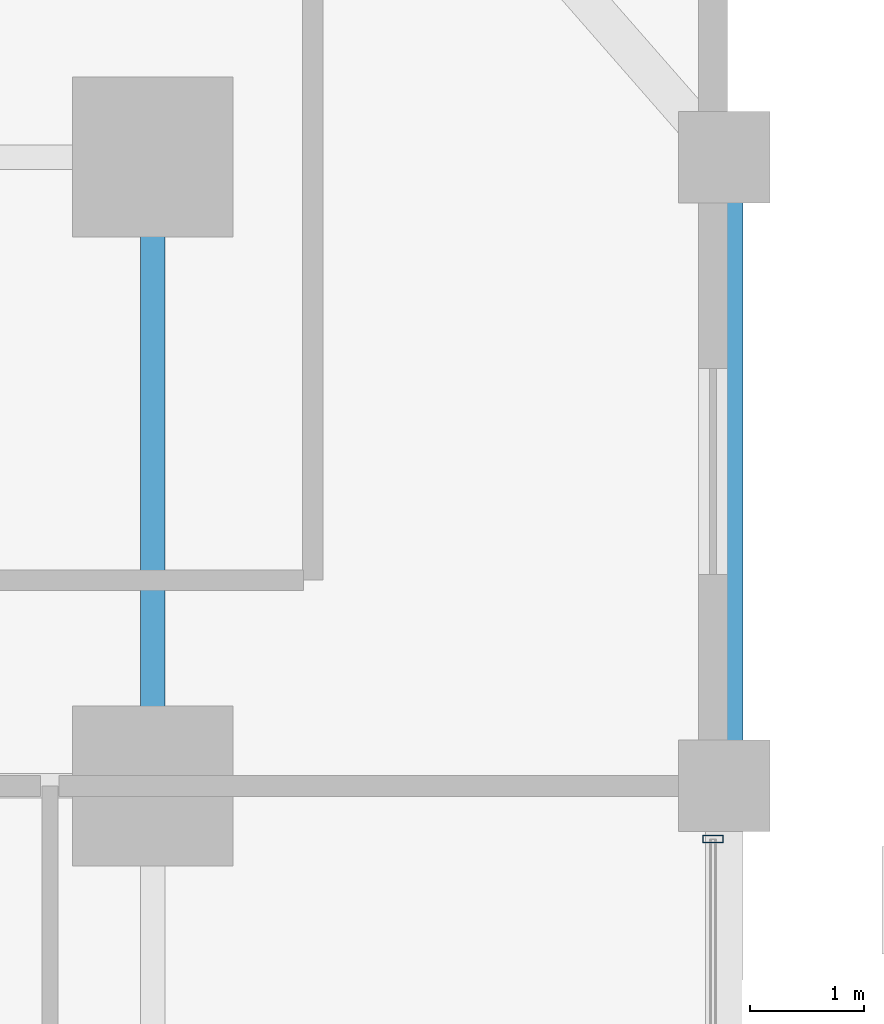
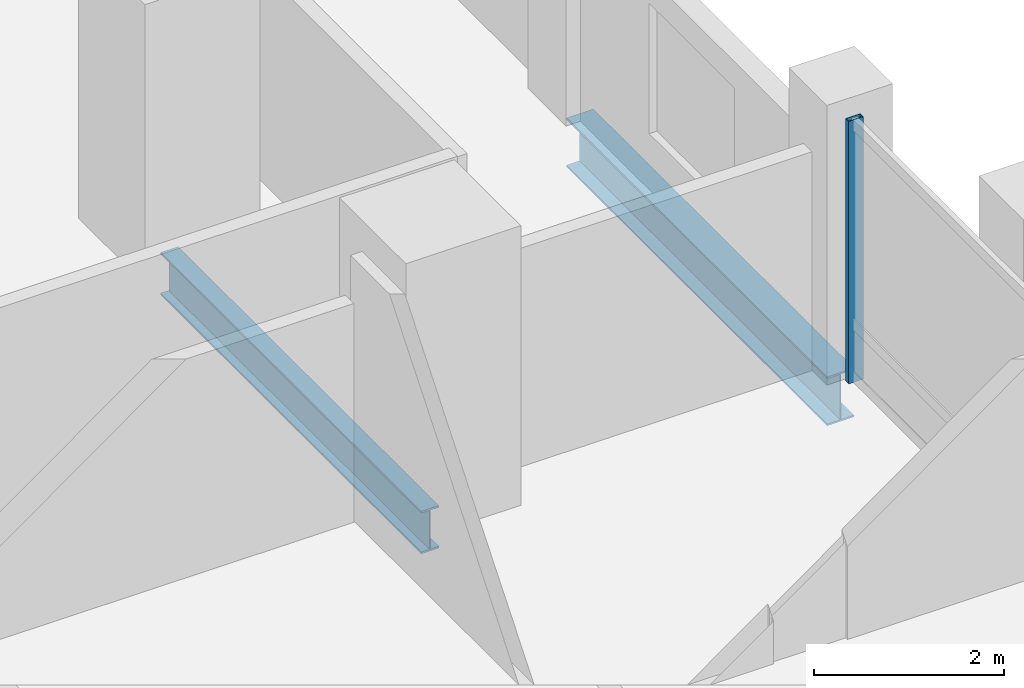
# One storey, part 15 of 23: 2 beams, 1 member, 1 element without a shape of its own.
"""IFC4 building model written with IfcOpenShell, lengths in metres."""

from ifc_helpers import new_model, si_unit, direction, frame, origin, origin_2d, place, context, subcontext, project, spatial, hollow_rectangle, i_section, extrude, material, layer, layer_set, material_profile, profile_set, type_object, element, aggregate, save


model = new_model("IFC4")

# Units and contexts
model_context = context("Model", 3, precision=1e-05, world=origin(), true_north=direction((0.0, 1.0)))
body_context = subcontext(model_context, "Body", "Model", "MODEL_VIEW")
ifc_project = project(units=[si_unit("LENGTHUNIT", "METRE"), si_unit("AREAUNIT", "SQUARE_METRE"), si_unit("VOLUMEUNIT", "CUBIC_METRE"), si_unit("PLANEANGLEUNIT", "RADIAN"), si_unit("MASSUNIT", "GRAM", prefix="KILO")], contexts=[model_context])

# Site, building, storey
site_placement = place(None, origin())
site = spatial("IfcSite", under=ifc_project, at=site_placement, CompositionType="ELEMENT")
building_placement = place(site_placement, origin())
building = spatial("IfcBuilding", under=site, at=building_placement, Name="Barlavira Tower and Art Museum", CompositionType="ELEMENT")
storey_placement = place(building_placement, frame((0.0, 0.0, 64.800048828125)))
storey = spatial("IfcBuildingStorey", under=building, at=storey_placement, Name="L15", CompositionType="ELEMENT", Elevation=64.800048828125)

# Curtain wall, member
ifc_material_1 = material(Name="Low-iron coastal laminated glass", Category="glass")
ifc_layer = layer(ifc_material_1, 0.179931640625, Name="Low-iron coastal laminated glass")
ifc_layer_set = layer_set([ifc_layer], Name="Low-iron coastal laminated glass")
curtain_wall_type = type_object("IfcCurtainWallType", Name="Pale-Metal Unitised Curtain Wall Zone 1", PredefinedType="NOTDEFINED", material=ifc_layer_set)
curtain_wall_placement = place(storey_placement, origin())
curtain_wall = element("IfcCurtainWall", 1, at=curtain_wall_placement, inside=storey, type_object=curtain_wall_type, Name="L15 Curtain Wall CW1-L15-E-B3", PredefinedType="NOTDEFINED")
ifc_material_2 = material(Name="Pale anodised aluminium", Category="aluminium")
ifc_material_profile_1 = material_profile(ifc_material_2, hollow_rectangle(XDim=0.06494140625, YDim=0.179931640625, WallThickness=0.00390625, at=origin_2d()), Name="ALU-MULL 65x180x4")
ifc_profile_set_1 = profile_set([ifc_material_profile_1], Name="Pale anodised aluminium")
member_type = type_object("IfcMemberType", Name="Curtain Wall Pale-Metal Mullion 65x180", PredefinedType="MULLION", material=ifc_profile_set_1)
member_placement = place(storey_placement, frame((21.89990234375, 7.034912109375, 0.0), z_axis=(0.0, 0.0, 1.0), x_axis=(0.0, 1.0, 0.0)))
member = element("IfcMember", 2, at=member_placement, type_object=member_type, Name="CW1-L15-E-B3 Mullion 3", PredefinedType="MULLION", context=body_context, shape_type="SweptSolid", body=[
    extrude(hollow_rectangle(XDim=0.06494140625, YDim=0.179931640625, WallThickness=0.00390625, at=origin_2d()), origin(), (0.0, 0.0, 1.0), 3.3798828125),
])
aggregate(curtain_wall, [member])

# Beams
ifc_material_3 = material(Name="Steel S355", Category="steel")
ifc_material_profile_2 = material_profile(ifc_material_3, i_section(OverallWidth=0.327880859375, OverallDepth=0.62890625, WebThickness=0.013916015625, FlangeThickness=0.021484375, at=origin_2d()), Name="W610x174.0")
ifc_profile_set_2 = profile_set([ifc_material_profile_2], Name="Steel S355")
beam_type_1 = type_object("IfcBeamType", Name="Perimeter Spandrel Edge Beam W610x174 Steel S355", PredefinedType="SPANDREL", material=ifc_profile_set_2)
beam_1_placement = place(storey_placement, frame((22.0, 7.5, -0.53466796875), z_axis=(0.0, 1.0, 0.0), x_axis=(-1.0, 0.0, 0.0)))
element("IfcBeam", 3, at=beam_1_placement, inside=storey, type_object=beam_type_1, Name="L15 Spandrel 7", PredefinedType="SPANDREL", context=body_context, shape_type="SweptSolid", body=[
    extrude(i_section(OverallWidth=0.327880859375, OverallDepth=0.62890625, WebThickness=0.013916015625, FlangeThickness=0.021484375, at=origin_2d()), origin(), (0.0, 0.0, 1.0), 5.5),
])
ifc_material_profile_3 = material_profile(ifc_material_3, i_section(OverallWidth=0.214111328125, OverallDepth=0.549072265625, WebThickness=0.0146484375, FlangeThickness=0.023681640625, at=origin_2d()), Name="W530x138.0")
ifc_profile_set_3 = profile_set([ifc_material_profile_3], Name="Steel S355")
beam_type_2 = type_object("IfcBeamType", Name="Zone 1 Primary Floor Girder W530x138 Steel S355", PredefinedType="BEAM", material=ifc_profile_set_3)
beam_2_placement = place(storey_placement, frame((17.0, 7.5, -0.49462890625), z_axis=(0.0, 1.0, 0.0), x_axis=(-1.0, 0.0, 0.0)))
element("IfcBeam", 4, at=beam_2_placement, inside=storey, type_object=beam_type_2, Name="L15 Girder M-E3", PredefinedType="BEAM", context=body_context, shape_type="SweptSolid", body=[
    extrude(i_section(OverallWidth=0.214111328125, OverallDepth=0.549072265625, WebThickness=0.0146484375, FlangeThickness=0.023681640625, at=origin_2d()), origin(), (0.0, 0.0, 1.0), 5.5),
])

save(model, "model.ifc")
